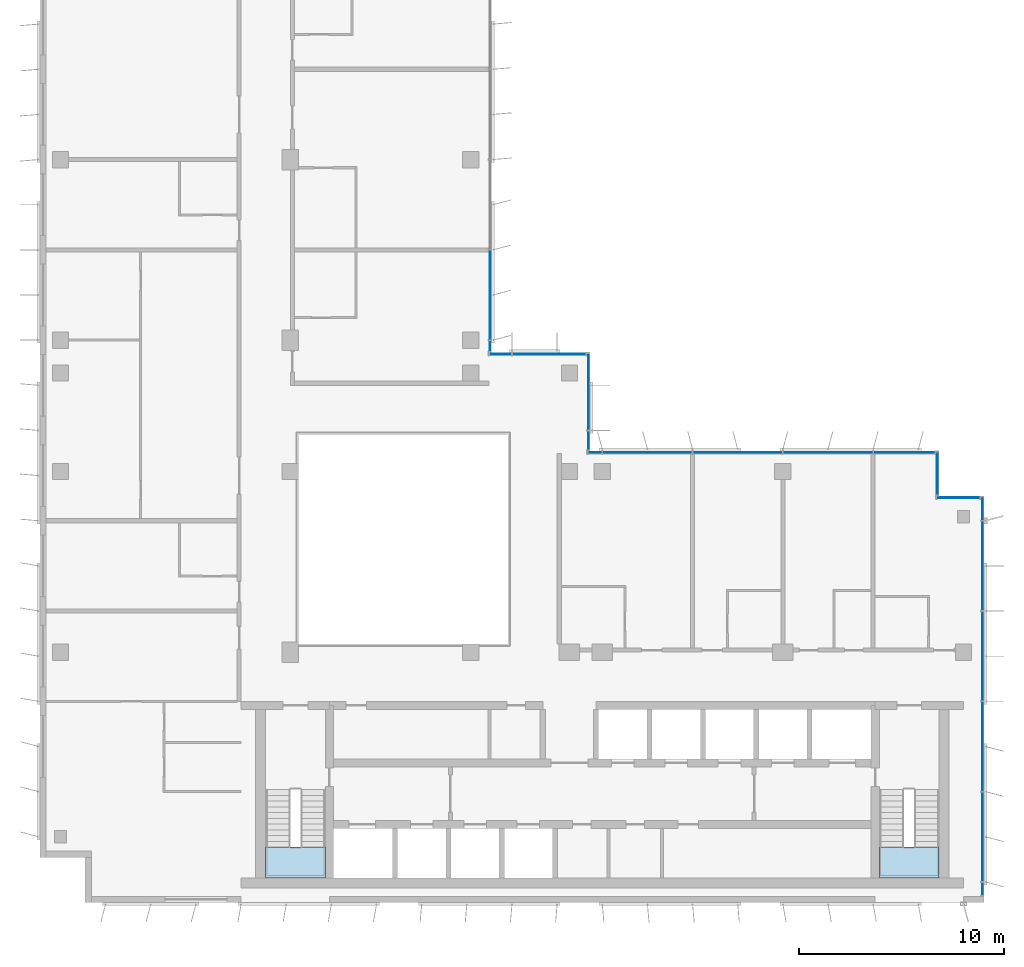
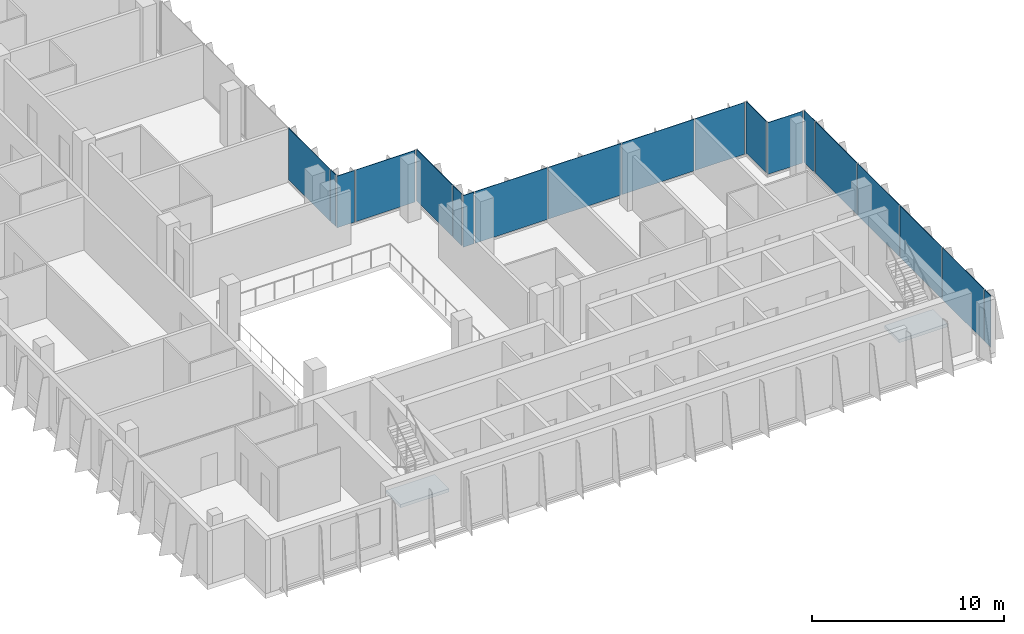
# One storey, part 7 of 15: 19 plates, 2 slabs, 9 elements without a shape of their own.
"""IFC4 building model written with IfcOpenShell, lengths in metres."""

import ifcopenshell
import ifcopenshell.guid

model = None  # the IFC model being written
_history = None  # IfcOwnerHistory: only IFC2X3 demands one
_inside = {}  # id of a spatial element -> (the spatial element, [elements in it])
_under = {}  # id of a project, library or spatial element -> (it, [spatial elements below it])
_declared = {}  # id of a project -> (the project, [libraries it declares])
_typed = {}  # id of a type object -> (the type object, [elements of that type])
_made_of = {}  # id of a material, layer set ... -> (it, [elements and type objects made of it])


def new_model(schema):
    """Start an empty IFC model of exactly this schema.

    Asked for "IFC4X3", IfcOpenShell would pick the latest addendum, in which some entities
    have other attributes; the version numbers below select the first issue.
    IFC2X3 requires an IfcOwnerHistory on every rooted entity: one is made here for all.
    """
    global model, _history
    if schema == "IFC4X3":
        model = ifcopenshell.file(schema_version=(4, 3, 0, 0))
    else:
        model = ifcopenshell.file(schema=schema)
    _inside.clear()
    _under.clear()
    _declared.clear()
    _typed.clear()
    _made_of.clear()
    _history = None
    if model.schema == "IFC2X3":
        org = make("IfcOrganization", Name="unknown")
        user = make(
            "IfcPersonAndOrganization",
            ThePerson=make("IfcPerson", FamilyName="unknown"),
            TheOrganization=org,
        )
        app = make(
            "IfcApplication",
            ApplicationDeveloper=org,
            Version="unknown",
            ApplicationFullName="unknown",
            ApplicationIdentifier="unknown",
        )
        _history = make(
            "IfcOwnerHistory",
            OwningUser=user,
            OwningApplication=app,
            ChangeAction="ADDED",
            CreationDate=0,
        )
    return model


def make(cls, **values):
    """One entity of the class cls with the attributes given. An attribute that is None is left unset."""
    return model.create_entity(
        cls, **{name: value for name, value in values.items() if value is not None}
    )


def rooted(cls, **values):
    """An entity with a GlobalId (a new one), such as an element, a storey or a relation."""
    return make(cls, GlobalId=ifcopenshell.guid.new(), OwnerHistory=_history, **values)


def si_unit(unit_type, name, prefix=None):
    """IfcSIUnit, for example si_unit("LENGTHUNIT", "METRE", prefix="MILLI")."""
    return make("IfcSIUnit", UnitType=unit_type, Prefix=prefix, Name=name)


def assignment(units):
    """IfcUnitAssignment: the units of a project."""
    return None if units is None else make("IfcUnitAssignment", Units=units)


def point(xyz):
    """IfcCartesianPoint."""
    return None if xyz is None else make("IfcCartesianPoint", Coordinates=xyz)


def direction(xyz):
    """IfcDirection."""
    return None if xyz is None else make("IfcDirection", DirectionRatios=xyz)


def frame(location, z_axis=None, x_axis=None):
    """IfcAxis2Placement3D, a coordinate frame: its origin and axes. An axis left out is left unset."""
    return make(
        "IfcAxis2Placement3D",
        Location=point(location),
        Axis=direction(z_axis),
        RefDirection=direction(x_axis),
    )


def frame_2d(location, x_axis=None):
    """IfcAxis2Placement2D, a coordinate frame in the plane: its origin and x axis."""
    return make(
        "IfcAxis2Placement2D", Location=point(location), RefDirection=direction(x_axis)
    )


def origin():
    """The frame at (0, 0, 0) with its axes left unset."""
    return frame((0.0, 0.0, 0.0))


def origin_2d():
    """The frame at (0, 0) in the plane with its x axis left unset."""
    return frame_2d((0.0, 0.0))


def place(relative_to, where):
    """IfcLocalPlacement: puts the frame where relative to a parent placement (None: the world)."""
    return make(
        "IfcLocalPlacement", PlacementRelTo=relative_to, RelativePlacement=where
    )


def context(
    kind, dimensions, precision=None, world=None, true_north=None, identifier=None
):
    """IfcGeometricRepresentationContext, for example the 3D "Model" context."""
    return make(
        "IfcGeometricRepresentationContext",
        ContextIdentifier=identifier,
        ContextType=kind,
        CoordinateSpaceDimension=dimensions,
        Precision=precision,
        WorldCoordinateSystem=world,
        TrueNorth=true_north,
    )


def subcontext(parent, identifier, kind, view, scale=None):
    """IfcGeometricRepresentationSubContext, for example "Body" below "Model"."""
    return make(
        "IfcGeometricRepresentationSubContext",
        ContextIdentifier=identifier,
        ContextType=kind,
        ParentContext=parent,
        TargetScale=scale,
        TargetView=view,
    )


def project(units=None, contexts=None):
    """IfcProject with its units and contexts."""
    return rooted(
        "IfcProject",
        Name="project",
        RepresentationContexts=contexts,
        UnitsInContext=assignment(units),
    )


def spatial(cls, under=None, at=None, **own):
    """A site, building, storey or space (cls), placed at a placement, below another one or the project."""
    s = rooted(cls, ObjectPlacement=at, **own)
    if under is not None:
        _under.setdefault(under.id(), (under, []))[1].append(s)
    return s


def polyline(points):
    """IfcPolyline through the points."""
    return make("IfcPolyline", Points=[point(p) for p in points])


def profile(cls, at=None, kind="AREA", **sizes):
    """A parametric profile (cls). Its sizes go by their IFC names, for example OverallWidth=200.0."""
    return make(cls, ProfileType=kind, Position=at, **sizes)


def rectangle(**sizes):
    """IfcRectangleProfileDef."""
    return profile("IfcRectangleProfileDef", **sizes)


def outline(outer, holes=None, kind="AREA"):
    """IfcArbitraryClosedProfileDef: a profile drawn as a closed curve; with holes, ...WithVoids."""
    if holes is None:
        return make("IfcArbitraryClosedProfileDef", ProfileType=kind, OuterCurve=outer)
    return make(
        "IfcArbitraryProfileDefWithVoids",
        ProfileType=kind,
        OuterCurve=outer,
        InnerCurves=holes,
    )


def extrude(swept, where, along, depth):
    """IfcExtrudedAreaSolid: the profile swept, set in the frame where, extruded along a direction by depth."""
    return make(
        "IfcExtrudedAreaSolid",
        SweptArea=swept,
        Position=where,
        ExtrudedDirection=direction(along),
        Depth=depth,
    )


def shape(context_of_items, identifier, shape_type, items):
    """IfcShapeRepresentation: the items that make up one representation, for example the "Body"."""
    return make(
        "IfcShapeRepresentation",
        ContextOfItems=context_of_items,
        RepresentationIdentifier=identifier,
        RepresentationType=shape_type,
        Items=items,
    )


def source(mapping_origin, context_of_items, identifier, shape_type, items):
    """IfcRepresentationMap: a shape defined once, which mapped items show again and again."""
    return make(
        "IfcRepresentationMap",
        MappingOrigin=mapping_origin,
        MappedRepresentation=shape(context_of_items, identifier, shape_type, items),
    )


def transform(
    local_origin,
    x_axis=None,
    y_axis=None,
    z_axis=None,
    scale=None,
    scale2=None,
    scale3=None,
    uniform=True,
):
    """IfcCartesianTransformationOperator3D, or its non-uniform kind. x_axis, y_axis, z_axis: its Axis1, 2, 3."""
    if uniform:
        return make(
            "IfcCartesianTransformationOperator3D",
            Axis1=direction(x_axis),
            Axis2=direction(y_axis),
            LocalOrigin=point(local_origin),
            Scale=scale,
            Axis3=direction(z_axis),
        )
    return make(
        "IfcCartesianTransformationOperator3DnonUniform",
        Axis1=direction(x_axis),
        Axis2=direction(y_axis),
        LocalOrigin=point(local_origin),
        Scale=scale,
        Axis3=direction(z_axis),
        Scale2=scale2,
        Scale3=scale3,
    )


def mapped(mapping_source, mapping_target):
    """IfcMappedItem: shows the shape of a source again, moved by a transform."""
    return make(
        "IfcMappedItem", MappingSource=mapping_source, MappingTarget=mapping_target
    )


def material(Name=None, Category=None):
    """IfcMaterial."""
    return make("IfcMaterial", Name=Name, Category=Category)


def layer(
    of_material, thickness, ventilated=None, Name=None, Category=None, Priority=None
):
    """IfcMaterialLayer: one layer of a wall or slab, of a material (None: an air gap)."""
    return make(
        "IfcMaterialLayer",
        Material=of_material,
        LayerThickness=thickness,
        IsVentilated=ventilated,
        Name=Name,
        Category=Category,
        Priority=Priority,
    )


def layer_set(layers, Name=None):
    """IfcMaterialLayerSet."""
    return make("IfcMaterialLayerSet", MaterialLayers=layers, LayerSetName=Name)


def made_of(thing, what):
    """Note that an element or type object is made of a material, layer set ...; save() writes the relation."""
    if what is not None:
        _made_of.setdefault(what.id(), (what, []))[1].append(thing)
    return thing


def type_object(cls, material=None, **own):
    """A type object (cls), such as IfcWallType, which elements share."""
    return made_of(rooted(cls, **own), material)


def element(
    cls,
    number,
    at=None,
    inside=None,
    cuts=None,
    type_object=None,
    material=None,
    context=None,
    identifier="Body",
    shape_type=None,
    held_by="IfcProductDefinitionShape",
    body=None,
    shapes=None,
    **own,
):
    """One element of the class cls, such as IfcWall. Its Tag is "e" and its number.

    at: its placement. inside: the storey or other place that contains it. cuts: it is an
    opening in that element (IfcRelVoidsElement). A single representation is given by context,
    identifier, shape_type and body (its items); several are given by shapes. held_by: the class
    of the entity that holds the representations. save() writes the other relations.
    """
    e = rooted(cls, Tag="e%d" % number, ObjectPlacement=at, **own)
    if body is not None:
        shapes = [shape(context, identifier, shape_type, body)]
    if shapes is not None:
        e.Representation = make(held_by, Representations=shapes)
    if inside is not None:
        _inside.setdefault(inside.id(), (inside, []))[1].append(e)
    if cuts is not None:
        rooted(
            "IfcRelVoidsElement", RelatingBuildingElement=cuts, RelatedOpeningElement=e
        )
    if type_object is not None:
        _typed.setdefault(type_object.id(), (type_object, []))[1].append(e)
    return made_of(e, material)


def aggregate(whole, parts):
    """IfcRelAggregates: a whole, such as a stair, and the parts it consists of."""
    return rooted("IfcRelAggregates", RelatingObject=whole, RelatedObjects=parts)


def save(model, path):
    """Write the relations noted so far, then the file.

    IfcRelAggregates (storeys below a building ...), IfcRelContainedInSpatialStructure (elements
    in a storey), IfcRelDefinesByType, IfcRelAssociatesMaterial and IfcRelDeclares: one each for
    every whole, place, type object, material and project.
    """
    for whole, parts in _under.values():
        aggregate(whole, parts)
    for where, things in _inside.values():
        rooted(
            "IfcRelContainedInSpatialStructure",
            RelatedElements=things,
            RelatingStructure=where,
        )
    for kind, things in _typed.values():
        rooted("IfcRelDefinesByType", RelatedObjects=things, RelatingType=kind)
    for what, things in _made_of.values():
        rooted("IfcRelAssociatesMaterial", RelatedObjects=things, RelatingMaterial=what)
    for by, libraries in _declared.values():
        rooted("IfcRelDeclares", RelatingContext=by, RelatedDefinitions=libraries)
    model.write(path)


model = new_model("IFC4")

# Units and contexts
model_context = context("Model", 3, precision=1e-05, world=origin(), true_north=direction((0.0, 1.0)))
body_context = subcontext(model_context, "Body", "Model", "MODEL_VIEW")
ifc_project = project(units=[si_unit("LENGTHUNIT", "METRE"), si_unit("AREAUNIT", "SQUARE_METRE"), si_unit("VOLUMEUNIT", "CUBIC_METRE"), si_unit("PLANEANGLEUNIT", "RADIAN"), si_unit("MASSUNIT", "GRAM", prefix="KILO")], contexts=[model_context])

# Site, building, storey
site_placement = place(None, origin())
site = spatial("IfcSite", under=ifc_project, at=site_placement, CompositionType="ELEMENT")
building_placement = place(site_placement, origin())
building = spatial("IfcBuilding", under=site, at=building_placement, Name="Kemantara Hotel Tower", CompositionType="ELEMENT")
storey_placement = place(building_placement, frame((0.0, 0.0, 275.89990234375)))
storey = spatial("IfcBuildingStorey", under=building, at=storey_placement, Name="L69", CompositionType="ELEMENT", Elevation=275.89990234375)

# Stair, slab
ifc_material_1 = material(Name="Concrete fc 40 MPa", Category="concrete")
stair_type = type_object("IfcStairType", Name="Stair 1200 wide 22 risers of 168 x 280 mm", PredefinedType="HALF_TURN_STAIR", material=ifc_material_1)
stair_1_placement = place(storey_placement, origin())
stair_1 = element("IfcStair", 1, at=stair_1_placement, inside=storey, type_object=stair_type, Name="L69 Exit stair ST1", PredefinedType="HALF_TURN_STAIR")
ifc_layer_1 = layer(ifc_material_1, 0.199951171875)
ifc_layer_set_1 = layer_set([ifc_layer_1], Name="Concrete fc 40 MPa")
slab_type = type_object("IfcSlabType", Name="Stair landing 200 mm", PredefinedType="LANDING", material=ifc_layer_set_1)
slab_1_placement = place(storey_placement, frame((0.0, 0.0, 1.650146484375)))
slab_1 = element("IfcSlab", 2, at=slab_1_placement, type_object=slab_type, Name="ST1 landing 1", PredefinedType="LANDING", context=body_context, shape_type="SweptSolid", body=[
    extrude(outline(polyline([(11.0, 2.699951171875), (11.0, 1.199951171875), (13.89990234375, 1.199951171875), (13.89990234375, 2.699951171875), (11.0, 2.699951171875)])), origin(), (0.0, 0.0, 1.0), 0.199951171875),
])
aggregate(stair_1, [slab_1])

stair_2_placement = place(storey_placement, origin())
stair_2 = element("IfcStair", 3, at=stair_2_placement, inside=storey, type_object=stair_type, Name="L69 Exit stair ST2", PredefinedType="HALF_TURN_STAIR")
slab_2_placement = place(storey_placement, frame((0.0, 0.0, 1.650146484375)))
slab_2 = element("IfcSlab", 4, at=slab_2_placement, type_object=slab_type, Name="ST2 landing 1", PredefinedType="LANDING", context=body_context, shape_type="SweptSolid", body=[
    extrude(outline(polyline([(40.89990234375, 2.699951171875), (40.89990234375, 1.199951171875), (43.800048828125, 1.199951171875), (43.800048828125, 2.699951171875), (40.89990234375, 2.699951171875)])), origin(), (0.0, 0.0, 1.0), 0.199951171875),
])
aggregate(stair_2, [slab_2])

# Curtain wall, plates
ifc_material_2 = material(Name="Low-E tinted double insulated glass 36 mm", Category="glass")
curtain_wall_type = type_object("IfcCurtainWallType", Name="TOWER CURTAIN WALL, FRONT FACES", PredefinedType="USERDEFINED", material=ifc_material_2)
curtain_wall_1_placement = place(storey_placement, origin())
curtain_wall_1 = element("IfcCurtainWall", 5, at=curtain_wall_1_placement, inside=storey, type_object=curtain_wall_type, Name="CW4 L69 T4-R09-1", ObjectType="TOWER CURTAIN WALL, FRONT FACES", PredefinedType="USERDEFINED")
ifc_layer_2 = layer(ifc_material_2, 0.035888671875)
ifc_layer_set_2 = layer_set([ifc_layer_2], Name="Low-E tinted double insulated glass 36 mm")
plate_type = type_object("IfcPlateType", Name="TOWER CURTAIN WALL, FRONT FACES PANEL", PredefinedType="CURTAIN_PANEL", material=ifc_layer_set_2)
shared_shape_1 = source(origin(), body_context, "Body", "SweptSolid", [
    extrude(rectangle(XDim=4.340087890625, YDim=0.035888671875, at=origin_2d()), origin(), (0.0, 0.0, 1.0), 3.280029296875),
])
plate_1_placement = place(storey_placement, frame((45.925048828125, 3.199951171875, 0.1201171875), z_axis=(0.0, 0.0, 1.0), x_axis=(0.0, 1.0, 0.0)))
plate_1 = element("IfcPlate", 6, at=plate_1_placement, type_object=plate_type, Name="CW4 glass panel T4-R09-1.2", PredefinedType="CURTAIN_PANEL", context=body_context, shape_type="MappedRepresentation", body=[
    mapped(shared_shape_1, transform((0.0, 0.0, 0.0))),
])
plate_2_placement = place(storey_placement, frame((45.925048828125, 7.60009765625, 0.1201171875), z_axis=(0.0, 0.0, 1.0), x_axis=(0.0, 1.0, 0.0)))
plate_2 = element("IfcPlate", 7, at=plate_2_placement, type_object=plate_type, Name="CW4 glass panel T4-R09-1.3", PredefinedType="CURTAIN_PANEL", context=body_context, shape_type="MappedRepresentation", body=[
    mapped(shared_shape_1, transform((0.0, 0.0, 0.0))),
])
plate_3_placement = place(storey_placement, frame((45.925048828125, 12.0, 0.1201171875), z_axis=(0.0, 0.0, 1.0), x_axis=(0.0, 1.0, 0.0)))
plate_3 = element("IfcPlate", 8, at=plate_3_placement, type_object=plate_type, Name="CW4 glass panel T4-R09-1.4", PredefinedType="CURTAIN_PANEL", context=body_context, shape_type="MappedRepresentation", body=[
    mapped(shared_shape_1, transform((0.0, 0.0, 0.0))),
])
plate_4_placement = place(storey_placement, frame((45.925048828125, 16.39990234375, 0.1201171875), z_axis=(0.0, 0.0, 1.0), x_axis=(0.0, 1.0, 0.0)))
plate_4 = element("IfcPlate", 9, at=plate_4_placement, type_object=plate_type, Name="CW4 glass panel T4-R09-1.5", PredefinedType="CURTAIN_PANEL", context=body_context, shape_type="MappedRepresentation", body=[
    mapped(shared_shape_1, transform((0.0, 0.0, 0.0))),
])

curtain_wall_2_placement = place(storey_placement, origin())
curtain_wall_2 = element("IfcCurtainWall", 10, at=curtain_wall_2_placement, inside=storey, type_object=curtain_wall_type, Name="CW4 L69 T4-R12-1", ObjectType="TOWER CURTAIN WALL, FRONT FACES", PredefinedType="USERDEFINED")
plate_5_placement = place(storey_placement, frame((38.39990234375, 21.925048828125, 0.1201171875), z_axis=(0.0, 0.0, 1.0), x_axis=(-1.0, 0.0, 0.0)))
plate_5 = element("IfcPlate", 11, at=plate_5_placement, type_object=plate_type, Name="CW4 glass panel T4-R12-1.2", PredefinedType="CURTAIN_PANEL", context=body_context, shape_type="MappedRepresentation", body=[
    mapped(shared_shape_1, transform((0.0, 0.0, 0.0))),
])
plate_6_placement = place(storey_placement, frame((34.0, 21.925048828125, 0.1201171875), z_axis=(0.0, 0.0, 1.0), x_axis=(-1.0, 0.0, 0.0)))
plate_6 = element("IfcPlate", 12, at=plate_6_placement, type_object=plate_type, Name="CW4 glass panel T4-R12-1.3", PredefinedType="CURTAIN_PANEL", context=body_context, shape_type="MappedRepresentation", body=[
    mapped(shared_shape_1, transform((0.0, 0.0, 0.0))),
])
plate_7_placement = place(storey_placement, frame((29.60009765625, 21.925048828125, 0.1201171875), z_axis=(0.0, 0.0, 1.0), x_axis=(-1.0, 0.0, 0.0)))
plate_7 = element("IfcPlate", 13, at=plate_7_placement, type_object=plate_type, Name="CW4 glass panel T4-R12-1.4", PredefinedType="CURTAIN_PANEL", context=body_context, shape_type="MappedRepresentation", body=[
    mapped(shared_shape_1, transform((0.0, 0.0, 0.0))),
])

# Curtain wall, plate
curtain_wall_3_placement = place(storey_placement, origin())
curtain_wall_3 = element("IfcCurtainWall", 14, at=curtain_wall_3_placement, inside=storey, type_object=curtain_wall_type, Name="CW4 L69 T4-R15-1", ObjectType="TOWER CURTAIN WALL, FRONT FACES", PredefinedType="USERDEFINED")
plate_8_placement = place(storey_placement, frame((21.925048828125, 29.60009765625, 0.1201171875), z_axis=(0.0, 0.0, 1.0), x_axis=(0.0, 1.0, 0.0)))
plate_8 = element("IfcPlate", 15, at=plate_8_placement, type_object=plate_type, Name="CW4 glass panel T4-R15-1.2", PredefinedType="CURTAIN_PANEL", context=body_context, shape_type="MappedRepresentation", body=[
    mapped(shared_shape_1, transform((0.0, 0.0, 0.0))),
])

curtain_wall_4_placement = place(storey_placement, origin())
curtain_wall_4 = element("IfcCurtainWall", 16, at=curtain_wall_4_placement, inside=storey, type_object=curtain_wall_type, Name="CW4 L69 T4-R10-1", ObjectType="TOWER CURTAIN WALL, FRONT FACES", PredefinedType="USERDEFINED")
shared_shape_2 = source(origin(), body_context, "Body", "SweptSolid", [
    extrude(rectangle(XDim=2.080078125, YDim=0.035888671875, at=origin_2d()), origin(), (0.0, 0.0, 1.0), 3.280029296875),
])
plate_9_placement = place(storey_placement, frame((44.75, 19.72509765625, 0.1201171875), z_axis=(0.0, 0.0, 1.0), x_axis=(-1.0, 0.0, 0.0)))
plate_9 = element("IfcPlate", 17, at=plate_9_placement, type_object=plate_type, Name="CW4 glass panel T4-R10-1.1", PredefinedType="CURTAIN_PANEL", context=body_context, shape_type="MappedRepresentation", body=[
    mapped(shared_shape_2, transform((0.0, 0.0, 0.0))),
])
aggregate(curtain_wall_4, [plate_9])

curtain_wall_5_placement = place(storey_placement, origin())
curtain_wall_5 = element("IfcCurtainWall", 18, at=curtain_wall_5_placement, inside=storey, type_object=curtain_wall_type, Name="CW4 L69 T4-R11-1", ObjectType="TOWER CURTAIN WALL, FRONT FACES", PredefinedType="USERDEFINED")
plate_10_placement = place(storey_placement, frame((43.72509765625, 20.89990234375, 0.1201171875), z_axis=(0.0, 0.0, 1.0), x_axis=(0.0, 1.0, 0.0)))
plate_10 = element("IfcPlate", 19, at=plate_10_placement, type_object=plate_type, Name="CW4 glass panel T4-R11-1.1", PredefinedType="CURTAIN_PANEL", context=body_context, shape_type="MappedRepresentation", body=[
    mapped(shared_shape_2, transform((0.0, 0.0, 0.0))),
])
aggregate(curtain_wall_5, [plate_10])

# Plate
shared_shape_3 = source(origin(), body_context, "Body", "SweptSolid", [
    extrude(rectangle(XDim=2.9599609375, YDim=0.035888671875, at=origin_2d()), origin(), (0.0, 0.0, 1.0), 3.280029296875),
])
plate_11_placement = place(storey_placement, frame((42.110107421875, 21.925048828125, 0.1201171875), z_axis=(0.0, 0.0, 1.0), x_axis=(-1.0, 0.0, 0.0)))
plate_11 = element("IfcPlate", 20, at=plate_11_placement, type_object=plate_type, Name="CW4 glass panel T4-R12-1.1", PredefinedType="CURTAIN_PANEL", context=body_context, shape_type="MappedRepresentation", body=[
    mapped(shared_shape_3, transform((0.0, 0.0, 0.0))),
])

shared_shape_4 = source(origin(), body_context, "Body", "SweptSolid", [
    extrude(rectangle(XDim=0.659912109375, YDim=0.035888671875, at=origin_2d()), origin(), (0.0, 0.0, 1.0), 3.280029296875),
])
plate_12_placement = place(storey_placement, frame((27.0400390625, 21.925048828125, 0.1201171875), z_axis=(0.0, 0.0, 1.0), x_axis=(-1.0, 0.0, 0.0)))
plate_12 = element("IfcPlate", 21, at=plate_12_placement, type_object=plate_type, Name="CW4 glass panel T4-R12-1.5", PredefinedType="CURTAIN_PANEL", context=body_context, shape_type="MappedRepresentation", body=[
    mapped(shared_shape_4, transform((0.0, 0.0, 0.0))),
])

aggregate(curtain_wall_2, [plate_11, plate_5, plate_6, plate_7, plate_12])

shared_shape_5 = source(origin(), body_context, "Body", "SweptSolid", [
    extrude(rectangle(XDim=0.510009765625, YDim=0.035888671875, at=origin_2d()), origin(), (0.0, 0.0, 1.0), 3.280029296875),
])
plate_13_placement = place(storey_placement, frame((21.925048828125, 27.114990234375, 0.1201171875), z_axis=(0.0, 0.0, 1.0), x_axis=(0.0, 1.0, 0.0)))
plate_13 = element("IfcPlate", 22, at=plate_13_placement, type_object=plate_type, Name="CW4 glass panel T4-R15-1.1", PredefinedType="CURTAIN_PANEL", context=body_context, shape_type="MappedRepresentation", body=[
    mapped(shared_shape_5, transform((0.0, 0.0, 0.0))),
])

aggregate(curtain_wall_3, [plate_13, plate_8])

# Curtain wall, plate
curtain_wall_6_placement = place(storey_placement, origin())
curtain_wall_6 = element("IfcCurtainWall", 23, at=curtain_wall_6_placement, inside=storey, type_object=curtain_wall_type, Name="CW4 L69 T4-R13-1", ObjectType="TOWER CURTAIN WALL, FRONT FACES", PredefinedType="USERDEFINED")
shared_shape_6 = source(origin(), body_context, "Body", "SweptSolid", [
    extrude(rectangle(XDim=0.909912109375, YDim=0.035888671875, at=origin_2d()), origin(), (0.0, 0.0, 1.0), 3.280029296875),
])
plate_14_placement = place(storey_placement, frame((26.72509765625, 22.514892578125, 0.1201171875), z_axis=(0.0, 0.0, 1.0), x_axis=(0.0, 1.0, 0.0)))
plate_14 = element("IfcPlate", 24, at=plate_14_placement, type_object=plate_type, Name="CW4 glass panel T4-R13-1.1", PredefinedType="CURTAIN_PANEL", context=body_context, shape_type="MappedRepresentation", body=[
    mapped(shared_shape_6, transform((0.0, 0.0, 0.0))),
])

# Plate
shared_shape_7 = source(origin(), body_context, "Body", "SweptSolid", [
    extrude(rectangle(XDim=1.110107421875, YDim=0.035888671875, at=origin_2d()), origin(), (0.0, 0.0, 1.0), 3.280029296875),
])
plate_15_placement = place(storey_placement, frame((45.925048828125, 19.18505859375, 0.1201171875), z_axis=(0.0, 0.0, 1.0), x_axis=(0.0, 1.0, 0.0)))
plate_15 = element("IfcPlate", 25, at=plate_15_placement, type_object=plate_type, Name="CW4 glass panel T4-R09-1.6", PredefinedType="CURTAIN_PANEL", context=body_context, shape_type="MappedRepresentation", body=[
    mapped(shared_shape_7, transform((0.0, 0.0, 0.0))),
])

shared_shape_8 = source(origin(), body_context, "Body", "SweptSolid", [
    extrude(rectangle(XDim=3.7099609375, YDim=0.035888671875, at=origin_2d()), origin(), (0.0, 0.0, 1.0), 3.280029296875),
])
plate_16_placement = place(storey_placement, frame((26.72509765625, 24.885009765625, 0.1201171875), z_axis=(0.0, 0.0, 1.0), x_axis=(0.0, 1.0, 0.0)))
plate_16 = element("IfcPlate", 26, at=plate_16_placement, type_object=plate_type, Name="CW4 glass panel T4-R13-1.2", PredefinedType="CURTAIN_PANEL", context=body_context, shape_type="MappedRepresentation", body=[
    mapped(shared_shape_8, transform((0.0, 0.0, 0.0))),
])

aggregate(curtain_wall_6, [plate_14, plate_16])

# Curtain wall, plates
curtain_wall_7_placement = place(storey_placement, origin())
curtain_wall_7 = element("IfcCurtainWall", 27, at=curtain_wall_7_placement, inside=storey, type_object=curtain_wall_type, Name="CW4 L69 T4-R14-1", ObjectType="TOWER CURTAIN WALL, FRONT FACES", PredefinedType="USERDEFINED")
shared_shape_9 = source(origin(), body_context, "Body", "SweptSolid", [
    extrude(rectangle(XDim=3.56005859375, YDim=0.035888671875, at=origin_2d()), origin(), (0.0, 0.0, 1.0), 3.280029296875),
])
plate_17_placement = place(storey_placement, frame((24.81005859375, 26.72509765625, 0.1201171875), z_axis=(0.0, 0.0, 1.0), x_axis=(-1.0, 0.0, 0.0)))
plate_17 = element("IfcPlate", 28, at=plate_17_placement, type_object=plate_type, Name="CW4 glass panel T4-R14-1.1", PredefinedType="CURTAIN_PANEL", context=body_context, shape_type="MappedRepresentation", body=[
    mapped(shared_shape_9, transform((0.0, 0.0, 0.0))),
])
shared_shape_10 = source(origin(), body_context, "Body", "SweptSolid", [
    extrude(rectangle(XDim=1.06005859375, YDim=0.035888671875, at=origin_2d()), origin(), (0.0, 0.0, 1.0), 3.280029296875),
])
plate_18_placement = place(storey_placement, frame((22.43994140625, 26.72509765625, 0.1201171875), z_axis=(0.0, 0.0, 1.0), x_axis=(-1.0, 0.0, 0.0)))
plate_18 = element("IfcPlate", 29, at=plate_18_placement, type_object=plate_type, Name="CW4 glass panel T4-R14-1.2", PredefinedType="CURTAIN_PANEL", context=body_context, shape_type="MappedRepresentation", body=[
    mapped(shared_shape_10, transform((0.0, 0.0, 0.0))),
])
aggregate(curtain_wall_7, [plate_17, plate_18])

# Plate
shared_shape_11 = source(origin(), body_context, "Body", "SweptSolid", [
    extrude(rectangle(XDim=0.610107421875, YDim=0.035888671875, at=origin_2d()), origin(), (0.0, 0.0, 1.0), 3.280029296875),
])
plate_19_placement = place(storey_placement, frame((45.925048828125, 0.6650390625, 0.1201171875), z_axis=(0.0, 0.0, 1.0), x_axis=(0.0, 1.0, 0.0)))
plate_19 = element("IfcPlate", 30, at=plate_19_placement, type_object=plate_type, Name="CW4 glass panel T4-R09-1.1", PredefinedType="CURTAIN_PANEL", context=body_context, shape_type="MappedRepresentation", body=[
    mapped(shared_shape_11, transform((0.0, 0.0, 0.0))),
])

aggregate(curtain_wall_1, [plate_19, plate_1, plate_2, plate_3, plate_4, plate_15])

save(model, "model.ifc")
